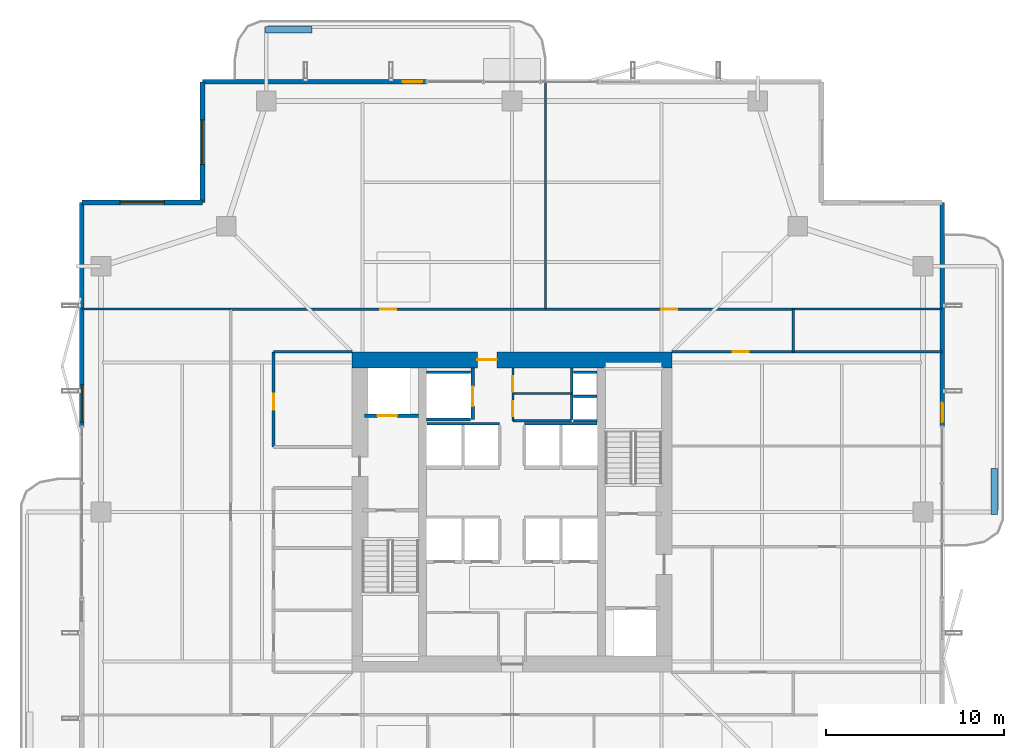
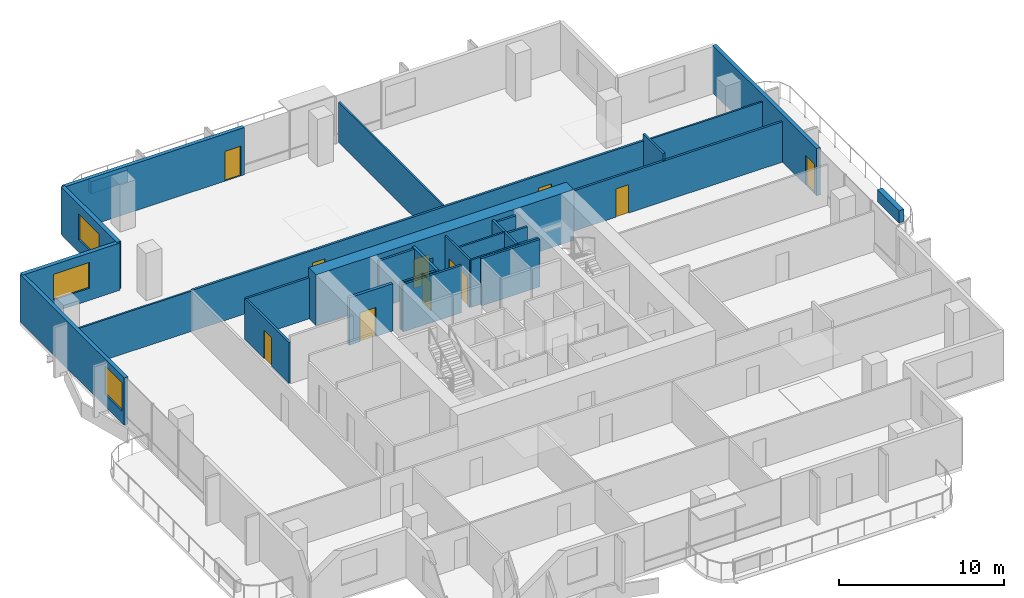
# One storey, part 20 of 25: 29 walls, 11 doors, 3 windows, 14 openings.
"""IFC4 building model written with IfcOpenShell, lengths in metres."""

from ifc_helpers import new_model, si_unit, direction, frame, frame_2d, origin, place, context, subcontext, project, spatial, rectangle, extrude, material, layer, layer_set, type_object, element, fill, save


model = new_model("IFC4")

# Units and contexts
model_context = context("Model", 3, precision=1e-05, world=origin(), true_north=direction((0.0, 1.0)))
body_context = subcontext(model_context, "Body", "Model", "MODEL_VIEW")
ifc_project = project(units=[si_unit("LENGTHUNIT", "METRE"), si_unit("AREAUNIT", "SQUARE_METRE"), si_unit("VOLUMEUNIT", "CUBIC_METRE"), si_unit("PLANEANGLEUNIT", "RADIAN"), si_unit("MASSUNIT", "GRAM", prefix="KILO")], contexts=[model_context])

# Site, building, storey
site_placement = place(None, origin())
site = spatial("IfcSite", under=ifc_project, at=site_placement, CompositionType="ELEMENT")
building_placement = place(site_placement, origin())
building = spatial("IfcBuilding", under=site, at=building_placement, Name="Belovzor Exchange Tower", CompositionType="ELEMENT")
storey_placement = place(building_placement, frame((0.0, 0.0, 187.050048828125)))
storey = spatial("IfcBuildingStorey", under=building, at=storey_placement, Name="L46", CompositionType="ELEMENT", Elevation=187.050048828125)

# Walls
ifc_material_1 = material(Name="Acoustic Plasterboard on Galvanised Studs", Category="gypsum")
ifc_layer_1 = layer(ifc_material_1, 0.1201171875)
ifc_layer_set_1 = layer_set([ifc_layer_1], Name="Acoustic Plasterboard on Galvanised Studs")
wall_type_1 = type_object("IfcWallType", Name="Acoustic Double-Stud Partition Wall 120", PredefinedType="PARTITIONING", material=ifc_layer_set_1)
wall_1_placement = place(storey_placement, frame((30.68994140625, 40.199951171875, 0.0), z_axis=(0.0, 0.0, 1.0), x_axis=(0.0, 1.0, 0.0)))
element("IfcWall", 1, at=wall_1_placement, inside=storey, type_object=wall_type_1, Name="W-P120 Partition Wall W-L46-NDIV-1", PredefinedType="PARTITIONING", context=body_context, shape_type="SweptSolid", body=[
    extrude(rectangle(XDim=12.77001953125, YDim=0.1201171875, at=frame_2d((6.385009765625, 0.0))), origin(), (0.0, 0.0, 1.0), 2.97998046875),
])
wall_2_placement = place(storey_placement, frame((4.6298828125, 40.199951171875, 0.0), z_axis=(0.0, 0.0, 1.0), x_axis=(1.0, 0.0, 0.0)))
element("IfcWall", 2, at=wall_2_placement, inside=storey, type_object=wall_type_1, Name="W-P120 Partition Wall W-L46-END-NW", PredefinedType="PARTITIONING", context=body_context, shape_type="SweptSolid", body=[
    extrude(rectangle(XDim=8.3701171875, YDim=0.1201171875, at=frame_2d((4.18505859375, 0.0))), origin(), (0.0, 0.0, 1.0), 2.97998046875),
])
wall_3_placement = place(storey_placement, frame((44.60009765625, 40.199951171875, 0.0), z_axis=(0.0, 0.0, 1.0), x_axis=(1.0, 0.0, 0.0)))
element("IfcWall", 3, at=wall_3_placement, inside=storey, type_object=wall_type_1, Name="W-P120 Partition Wall W-L46-END-NE", PredefinedType="PARTITIONING", context=body_context, shape_type="SweptSolid", body=[
    extrude(rectangle(XDim=8.369873046875, YDim=0.1201171875, at=frame_2d((4.18505859375, 0.0))), origin(), (0.0, 0.0, 1.0), 2.97998046875),
])

# Wall, openings, doors
ifc_material_2 = material(Name="Fire-Rated Plasterboard on Galvanised Studs", Category="gypsum")
ifc_layer_2 = layer(ifc_material_2, 0.1201171875)
ifc_layer_set_2 = layer_set([ifc_layer_2], Name="Fire-Rated Plasterboard on Galvanised Studs")
wall_type_2 = type_object("IfcWallType", Name="Fire-Rated Double-Stud Partition Wall 120", PredefinedType="PARTITIONING", material=ifc_layer_set_2)
wall_4_placement = place(storey_placement, frame((28.85009765625, 33.925048828125, 0.0), z_axis=(0.0, 0.0, 1.0), x_axis=(0.0, 1.0, 0.0)))
wall_4 = element("IfcWall", 4, at=wall_4_placement, inside=storey, type_object=wall_type_2, Name="W-P120F Partition Wall W-CRV-L46-W", PredefinedType="PARTITIONING", context=body_context, shape_type="SweptSolid", body=[
    extrude(rectangle(XDim=2.974853515625, YDim=0.1201171875, at=frame_2d((1.4873046875, 0.0))), origin(), (0.0, 0.0, 1.0), 3.494873046875),
])
opening_1_placement = place(wall_4_placement, frame((0.25, 0.0, 0.0)))
opening_1 = element("IfcOpeningElement", 5, at=opening_1_placement, cuts=wall_4, Name="Opening D-FD60-085", PredefinedType="OPENING", context=body_context, shape_type="SweptSolid", body=[
    extrude(rectangle(XDim=0.85009765625, YDim=2.10009765625, at=frame_2d((0.425048828125, 1.050048828125))), frame((0.0, 0.070068359375, 0.0), z_axis=(0.0, -1.0, 0.0), x_axis=(1.0, 0.0, 0.0)), (0.0, 0.0, 1.0), 0.14013671875),
])
opening_2_placement = place(wall_4_placement, frame((1.64501953125, 0.0, 0.0)))
opening_2 = element("IfcOpeningElement", 6, at=opening_2_placement, cuts=wall_4, Name="Opening D-FD60-085", PredefinedType="OPENING", context=body_context, shape_type="SweptSolid", body=[
    extrude(rectangle(XDim=0.85009765625, YDim=2.10009765625, at=frame_2d((0.425048828125, 1.050048828125))), frame((0.0, 0.070068359375, 0.0), z_axis=(0.0, -1.0, 0.0), x_axis=(1.0, 0.0, 0.0)), (0.0, 0.0, 1.0), 0.14013671875),
])
ifc_material_3 = material(Name="Fire-Rated Steel Access Leaf", Category="steel")
door_type_1 = type_object("IfcDoorType", Name="Riser & Meter Closet Access Fire Door 850x2100", OperationType="NOTDEFINED", PredefinedType="DOOR", material=ifc_material_3)
door_1_placement = place(opening_1_placement, origin())
door_1 = element("IfcDoor", 7, at=door_1_placement, inside=storey, type_object=door_type_1, Name="D-FD60-085 Riser & Meter Closet Access Fire Door 850x2100", OperationType="SINGLE_SWING_LEFT", OverallHeight=2.10009765625, OverallWidth=0.85009765625, PredefinedType="DOOR", context=body_context, shape_type="SweptSolid", body=[
    extrude(rectangle(XDim=0.85009765625, YDim=2.10009765625, at=frame_2d((0.425048828125, 1.050048828125))), frame((0.0, 0.02490234375, 0.0), z_axis=(0.0, -1.0, 0.0), x_axis=(1.0, 0.0, 0.0)), (0.0, 0.0, 1.0), 0.050048828125),
])
fill(opening_1, door_1)
door_2_placement = place(opening_2_placement, origin())
door_2 = element("IfcDoor", 8, at=door_2_placement, inside=storey, type_object=door_type_1, Name="D-FD60-085 Riser & Meter Closet Access Fire Door 850x2100", OperationType="SINGLE_SWING_RIGHT", OverallHeight=2.10009765625, OverallWidth=0.85009765625, PredefinedType="DOOR", context=body_context, shape_type="SweptSolid", body=[
    extrude(rectangle(XDim=0.85009765625, YDim=2.10009765625, at=frame_2d((0.425048828125, 1.050048828125))), frame((0.0, 0.02490234375, 0.0), z_axis=(0.0, -1.0, 0.0), x_axis=(1.0, 0.0, 0.0)), (0.0, 0.0, 1.0), 0.050048828125),
])
fill(opening_2, door_2)

# Walls
for number, where, z_axis, x_axis, name in (
    (9, (28.85009765625, 35.449951171875, 0.0), (0.0, 0.0, 1.0), (1.0, 0.0, 0.0), "W-P120F Partition Wall W-CRV-L46-M"),
    (10, (28.85009765625, 33.925048828125, 0.0), (0.0, 0.0, 1.0), (1.0, 0.0, 0.0), "W-P120F Partition Wall W-CRV-L46-S"),
):
    element("IfcWall", number, at=place(storey_placement, frame(where, z_axis=z_axis, x_axis=x_axis)), inside=storey, type_object=wall_type_2, Name=name, PredefinedType="PARTITIONING", context=body_context, shape_type="SweptSolid", body=[
        extrude(rectangle(XDim=3.2998046875, YDim=0.1201171875, at=frame_2d((1.64990234375, 0.0))), origin(), (0.0, 0.0, 1.0), 3.494873046875),
    ])
ifc_material_4 = material(Name="Fire-Rated Gypsum Block and Mineral Wool", Category="gypsum")
ifc_layer_3 = layer(ifc_material_4, 0.14990234375)
ifc_layer_set_3 = layer_set([ifc_layer_3], Name="Fire-Rated Gypsum Block and Mineral Wool")
wall_type_3 = type_object("IfcWallType", Name="Fire-Rated Gypsum Block Corridor Wall 150", PredefinedType="PARTITIONING", material=ifc_layer_set_3)
wall_5_placement = place(storey_placement, frame((15.39990234375, 37.800048828125, 0.0), z_axis=(0.0, 0.0, 1.0), x_axis=(1.0, 0.0, 0.0)))
element("IfcWall", 11, at=wall_5_placement, inside=storey, type_object=wall_type_3, Name="W-P150 Partition Wall W-L46-INW-N", PredefinedType="PARTITIONING", context=body_context, shape_type="SweptSolid", body=[
    extrude(rectangle(XDim=4.400146484375, YDim=0.14990234375, at=frame_2d((2.2001953125, 0.0))), origin(), (0.0, 0.0, 1.0), 3.030029296875),
])

# Wall, opening, door
wall_6_placement = place(storey_placement, frame((15.39990234375, 32.449951171875, 0.0), z_axis=(0.0, 0.0, 1.0), x_axis=(0.0, 1.0, 0.0)))
wall_6 = element("IfcWall", 12, at=wall_6_placement, inside=storey, type_object=wall_type_3, Name="W-P150 Partition Wall W-L46-WIE-N", PredefinedType="PARTITIONING", context=body_context, shape_type="SweptSolid", body=[
    extrude(rectangle(XDim=5.35009765625, YDim=0.14990234375, at=frame_2d((2.675048828125, 0.0))), origin(), (0.0, 0.0, 1.0), 3.030029296875),
])
opening_3_placement = place(wall_6_placement, frame((2.10009765625, 0.0, 0.0)))
opening_3 = element("IfcOpeningElement", 13, at=opening_3_placement, cuts=wall_6, Name="Opening D-FD60-090", PredefinedType="OPENING", context=body_context, shape_type="SweptSolid", body=[
    extrude(rectangle(XDim=0.89990234375, YDim=2.10009765625, at=frame_2d((0.449951171875, 1.050048828125))), frame((0.0, 0.0849609375, 0.0), z_axis=(0.0, -1.0, 0.0), x_axis=(1.0, 0.0, 0.0)), (0.0, 0.0, 1.0), 0.169921875),
])
ifc_material_5 = material(Name="Acoustic Timber Fire Leaf", Category="wood")
door_type_2 = type_object("IfcDoorType", Name="Core Service & Restroom Fire Door 900x2100", OperationType="NOTDEFINED", PredefinedType="DOOR", material=ifc_material_5)
door_3_placement = place(opening_3_placement, origin())
door_3 = element("IfcDoor", 14, at=door_3_placement, inside=storey, type_object=door_type_2, Name="D-FD60-090 Core Service & Restroom Fire Door 900x2100", OperationType="SINGLE_SWING_LEFT", OverallHeight=2.10009765625, OverallWidth=0.89990234375, PredefinedType="DOOR", context=body_context, shape_type="SweptSolid", body=[
    extrude(rectangle(XDim=0.89990234375, YDim=2.10009765625, at=frame_2d((0.449951171875, 1.050048828125))), frame((0.0, 0.02490234375, 0.0), z_axis=(0.0, -1.0, 0.0), x_axis=(1.0, 0.0, 0.0)), (0.0, 0.0, 1.0), 0.050048828125),
])
fill(opening_3, door_3)

# Wall
wall_7_placement = place(storey_placement, frame((44.60009765625, 37.800048828125, 0.0), z_axis=(0.0, 0.0, 1.0), x_axis=(0.0, 1.0, 0.0)))
element("IfcWall", 15, at=wall_7_placement, inside=storey, type_object=wall_type_3, Name="W-P150 Partition Wall W-L46-END-EN", PredefinedType="PARTITIONING", context=body_context, shape_type="SweptSolid", body=[
    extrude(rectangle(XDim=2.39990234375, YDim=0.14990234375, at=frame_2d((1.199951171875, 0.0))), origin(), (0.0, 0.0, 1.0), 3.494873046875),
])

# Wall, opening, door
wall_8_placement = place(storey_placement, frame((37.800048828125, 37.800048828125, 0.0), z_axis=(0.0, 0.0, 1.0), x_axis=(1.0, 0.0, 0.0)))
wall_8 = element("IfcWall", 16, at=wall_8_placement, inside=storey, type_object=wall_type_3, Name="W-P150 Partition Wall W-L46-CN-IN", PredefinedType="PARTITIONING", context=body_context, shape_type="SweptSolid", body=[
    extrude(rectangle(XDim=15.169921875, YDim=0.14990234375, at=frame_2d((7.5849609375, 0.0))), origin(), (0.0, 0.0, 1.0), 2.97998046875),
])
opening_4_placement = place(wall_8_placement, frame((3.39990234375, 0.0, 0.0)))
opening_4 = element("IfcOpeningElement", 17, at=opening_4_placement, cuts=wall_8, Name="Opening D-INT-090", PredefinedType="OPENING", context=body_context, shape_type="SweptSolid", body=[
    extrude(rectangle(XDim=0.89990234375, YDim=2.10009765625, at=frame_2d((0.449951171875, 1.050048828125))), frame((0.0, 0.0849609375, 0.0), z_axis=(0.0, -1.0, 0.0), x_axis=(1.0, 0.0, 0.0)), (0.0, 0.0, 1.0), 0.169921875),
])
ifc_material_6 = material(Name="Veneered Hardwood Acoustic Leaf", Category="wood")
door_type_3 = type_object("IfcDoorType", Name="Trading Suite Acoustic Single Door 900x2100", OperationType="NOTDEFINED", PredefinedType="DOOR", material=ifc_material_6)
door_4_placement = place(opening_4_placement, origin())
door_4 = element("IfcDoor", 18, at=door_4_placement, inside=storey, type_object=door_type_3, Name="D-INT-090 Trading Suite Acoustic Single Door 900x2100", OperationType="SINGLE_SWING_RIGHT", OverallHeight=2.10009765625, OverallWidth=0.89990234375, PredefinedType="DOOR", context=body_context, shape_type="SweptSolid", body=[
    extrude(rectangle(XDim=0.89990234375, YDim=2.10009765625, at=frame_2d((0.449951171875, 1.050048828125))), frame((0.0, 0.02490234375, 0.0), z_axis=(0.0, -1.0, 0.0), x_axis=(1.0, 0.0, 0.0)), (0.0, 0.0, 1.0), 0.050048828125),
])
fill(opening_4, door_4)

# Wall, openings, doors
wall_9_placement = place(storey_placement, frame((13.0, 40.199951171875, 0.0), z_axis=(0.0, 0.0, 1.0), x_axis=(1.0, 0.0, 0.0)))
wall_9 = element("IfcWall", 19, at=wall_9_placement, inside=storey, type_object=wall_type_3, Name="W-P150 Partition Wall W-L46-CN", PredefinedType="PARTITIONING", context=body_context, shape_type="SweptSolid", body=[
    extrude(rectangle(XDim=31.60009765625, YDim=0.14990234375, at=frame_2d((15.800048828125, 0.0))), origin(), (0.0, 0.0, 1.0), 3.030029296875),
])
opening_5_placement = place(wall_9_placement, frame((8.39501953125, 0.0, 0.0)))
opening_5 = element("IfcOpeningElement", 20, at=opening_5_placement, cuts=wall_9, Name="Opening D-INT-090", PredefinedType="OPENING", context=body_context, shape_type="SweptSolid", body=[
    extrude(rectangle(XDim=0.89990234375, YDim=2.10009765625, at=frame_2d((0.449951171875, 1.050048828125))), frame((0.0, 0.0849609375, 0.0), z_axis=(0.0, -1.0, 0.0), x_axis=(1.0, 0.0, 0.0)), (0.0, 0.0, 1.0), 0.169921875),
])
opening_6_placement = place(wall_9_placement, frame((24.195068359375, 0.0, 0.0)))
opening_6 = element("IfcOpeningElement", 21, at=opening_6_placement, cuts=wall_9, Name="Opening D-INT-090", PredefinedType="OPENING", context=body_context, shape_type="SweptSolid", body=[
    extrude(rectangle(XDim=0.89990234375, YDim=2.10009765625, at=frame_2d((0.449951171875, 1.050048828125))), frame((0.0, 0.0849609375, 0.0), z_axis=(0.0, -1.0, 0.0), x_axis=(1.0, 0.0, 0.0)), (0.0, 0.0, 1.0), 0.169921875),
])
door_5_placement = place(opening_5_placement, origin())
door_5 = element("IfcDoor", 22, at=door_5_placement, inside=storey, type_object=door_type_3, Name="D-INT-090 Trading Suite Acoustic Single Door 900x2100", OperationType="SINGLE_SWING_LEFT", OverallHeight=2.10009765625, OverallWidth=0.89990234375, PredefinedType="DOOR", context=body_context, shape_type="SweptSolid", body=[
    extrude(rectangle(XDim=0.89990234375, YDim=2.10009765625, at=frame_2d((0.449951171875, 1.050048828125))), frame((0.0, 0.02490234375, 0.0), z_axis=(0.0, -1.0, 0.0), x_axis=(1.0, 0.0, 0.0)), (0.0, 0.0, 1.0), 0.050048828125),
])
fill(opening_5, door_5)
door_6_placement = place(opening_6_placement, origin())
door_6 = element("IfcDoor", 23, at=door_6_placement, inside=storey, type_object=door_type_3, Name="D-INT-090 Trading Suite Acoustic Single Door 900x2100", OperationType="SINGLE_SWING_RIGHT", OverallHeight=2.10009765625, OverallWidth=0.89990234375, PredefinedType="DOOR", context=body_context, shape_type="SweptSolid", body=[
    extrude(rectangle(XDim=0.89990234375, YDim=2.10009765625, at=frame_2d((0.449951171875, 1.050048828125))), frame((0.0, 0.02490234375, 0.0), z_axis=(0.0, -1.0, 0.0), x_axis=(1.0, 0.0, 0.0)), (0.0, 0.0, 1.0), 0.050048828125),
])
fill(opening_6, door_6)

# Wall, opening, window
ifc_material_7 = material(Name="Precast concrete C40/50", Category="concrete")
ifc_layer_4 = layer(ifc_material_7, 0.280029296875)
ifc_layer_set_4 = layer_set([ifc_layer_4], Name="Precast concrete C40/50")
wall_type_4 = type_object("IfcWallType", Name="Precast Concrete Notched Corner Frame Wall 280", PredefinedType="SOLIDWALL", material=ifc_layer_set_4)
wall_10_placement = place(storey_placement, frame((4.6298828125, 46.199951171875, 0.0), z_axis=(0.0, 0.0, 1.0), x_axis=(1.0, 0.0, 0.0)))
wall_10 = element("IfcWall", 24, at=wall_10_placement, inside=storey, type_object=wall_type_4, Name="W-CRN280 Precast Concrete Notched Corner Frame Wall 280 L46", PredefinedType="SOLIDWALL", context=body_context, shape_type="SweptSolid", body=[
    extrude(rectangle(XDim=6.77001953125, YDim=0.280029296875, at=frame_2d((3.385009765625, 0.0))), origin(), (0.0, 0.0, 1.0), 3.494873046875),
])
opening_7_placement = place(wall_10_placement, frame((2.135009765625, 0.0, 0.89990234375)))
opening_7 = element("IfcOpeningElement", 25, at=opening_7_placement, cuts=wall_10, Name="Opening WN-CRN250", PredefinedType="OPENING", context=body_context, shape_type="SweptSolid", body=[
    extrude(rectangle(XDim=2.5, YDim=1.89990234375, at=frame_2d((1.25, 0.949951171875))), frame((0.0, 0.14990234375, 0.0), z_axis=(0.0, -1.0, 0.0), x_axis=(1.0, 0.0, 0.0)), (0.0, 0.0, 1.0), 0.300048828125),
])
ifc_material_8 = material(Name="Thermally Broken Aluminium and Triple Glazing", Category="aluminium")
window_type_1 = type_object("IfcWindowType", Name="Streamline Moderne Corner Wrap Ribbon Window 2500x1900", PartitioningType="SINGLE_PANEL", PredefinedType="WINDOW", material=ifc_material_8)
window_1_placement = place(opening_7_placement, origin())
window_1 = element("IfcWindow", 26, at=window_1_placement, inside=storey, type_object=window_type_1, Name="WN-CRN250 Streamline Moderne Corner Wrap Ribbon Window 2500x1900", OverallHeight=1.89990234375, OverallWidth=2.5, PartitioningType="SINGLE_PANEL", PredefinedType="WINDOW", context=body_context, shape_type="SweptSolid", body=[
    extrude(rectangle(XDim=2.5, YDim=1.89990234375, at=frame_2d((1.25, 0.949951171875))), frame((0.0, 0.030029296875, 0.0), z_axis=(0.0, -1.0, 0.0), x_axis=(1.0, 0.0, 0.0)), (0.0, 0.0, 1.0), 0.06005859375),
])
fill(opening_7, window_1)

wall_11_placement = place(storey_placement, frame((11.39990234375, 46.199951171875, 0.0), z_axis=(0.0, 0.0, 1.0), x_axis=(0.0, 1.0, 0.0)))
wall_11 = element("IfcWall", 27, at=wall_11_placement, inside=storey, type_object=wall_type_4, Name="W-CRN280 Precast Concrete Notched Corner Frame Wall 280 L46", PredefinedType="SOLIDWALL", context=body_context, shape_type="SweptSolid", body=[
    extrude(rectangle(XDim=6.77001953125, YDim=0.280029296875, at=frame_2d((3.385009765625, 0.0))), origin(), (0.0, 0.0, 1.0), 3.494873046875),
])
opening_8_placement = place(wall_11_placement, frame((2.135009765625, 0.0, 0.89990234375)))
opening_8 = element("IfcOpeningElement", 28, at=opening_8_placement, cuts=wall_11, Name="Opening WN-CRN250", PredefinedType="OPENING", context=body_context, shape_type="SweptSolid", body=[
    extrude(rectangle(XDim=2.5, YDim=1.89990234375, at=frame_2d((1.25, 0.949951171875))), frame((0.0, 0.14990234375, 0.0), z_axis=(0.0, -1.0, 0.0), x_axis=(1.0, 0.0, 0.0)), (0.0, 0.0, 1.0), 0.300048828125),
])
window_2_placement = place(opening_8_placement, origin())
window_2 = element("IfcWindow", 29, at=window_2_placement, inside=storey, type_object=window_type_1, Name="WN-CRN250 Streamline Moderne Corner Wrap Ribbon Window 2500x1900", OverallHeight=1.89990234375, OverallWidth=2.5, PartitioningType="SINGLE_PANEL", PredefinedType="WINDOW", context=body_context, shape_type="SweptSolid", body=[
    extrude(rectangle(XDim=2.5, YDim=1.89990234375, at=frame_2d((1.25, 0.949951171875))), frame((0.0, 0.030029296875, 0.0), z_axis=(0.0, -1.0, 0.0), x_axis=(1.0, 0.0, 0.0)), (0.0, 0.0, 1.0), 0.06005859375),
])
fill(opening_8, window_2)

# Wall, opening, door
ifc_material_9 = material(Name="Precast concrete C40/50", Category="concrete")
ifc_layer_5 = layer(ifc_material_9, 0.260009765625)
ifc_layer_set_5 = layer_set([ifc_layer_5], Name="Precast concrete C40/50")
wall_type_5 = type_object("IfcWallType", Name="Precast Concrete Perimeter Loggia Frame Wall 260", PredefinedType="SOLIDWALL", material=ifc_layer_set_5)
wall_12_placement = place(storey_placement, frame((11.39990234375, 52.969970703125, 0.0), z_axis=(0.0, 0.0, 1.0), x_axis=(1.0, 0.0, 0.0)))
wall_12 = element("IfcWall", 30, at=wall_12_placement, inside=storey, type_object=wall_type_5, Name="W-EXT260 Precast Concrete Perimeter Loggia Frame Wall 260 L46", PredefinedType="SOLIDWALL", context=body_context, shape_type="SweptSolid", body=[
    extrude(rectangle(XDim=12.60009765625, YDim=0.260009765625, at=frame_2d((6.300048828125, 0.0))), origin(), (0.0, 0.0, 1.0), 3.494873046875),
])
opening_9_placement = place(wall_12_placement, frame((11.25, 0.0, 0.0)))
opening_9 = element("IfcOpeningElement", 31, at=opening_9_placement, cuts=wall_12, Name="Opening D-BAL110", PredefinedType="OPENING", context=body_context, shape_type="SweptSolid", body=[
    extrude(rectangle(XDim=1.10009765625, YDim=2.199951171875, at=frame_2d((0.550048828125, 1.10009765625))), frame((0.0, 0.139892578125, 0.0), z_axis=(0.0, -1.0, 0.0), x_axis=(1.0, 0.0, 0.0)), (0.0, 0.0, 1.0), 0.280029296875),
])
ifc_material_10 = material(Name="Thermally Broken Anodised Aluminium and Laminated Glass", Category="aluminium")
door_type_4 = type_object("IfcDoorType", Name="Planted Loggia Terrace Glazed Door 1100x2200", OperationType="SINGLE_SWING_LEFT", PredefinedType="DOOR", material=ifc_material_10)
door_7_placement = place(opening_9_placement, origin())
door_7 = element("IfcDoor", 32, at=door_7_placement, inside=storey, type_object=door_type_4, Name="D-BAL110 Balcony Terrace Door L46 N", OperationType="SINGLE_SWING_RIGHT", OverallHeight=2.199951171875, OverallWidth=1.10009765625, PredefinedType="DOOR", context=body_context, shape_type="SweptSolid", body=[
    extrude(rectangle(XDim=1.10009765625, YDim=2.199951171875, at=frame_2d((0.550048828125, 1.10009765625))), frame((0.0, 0.02490234375, 0.0), z_axis=(0.0, -1.0, 0.0), x_axis=(1.0, 0.0, 0.0)), (0.0, 0.0, 1.0), 0.050048828125),
])
fill(opening_9, door_7)

# Wall, opening, window
wall_13_placement = place(storey_placement, frame((4.6298828125, 33.60009765625, 0.0), z_axis=(0.0, 0.0, 1.0), x_axis=(0.0, 1.0, 0.0)))
wall_13 = element("IfcWall", 33, at=wall_13_placement, inside=storey, type_object=wall_type_5, Name="W-EXT260 Precast Concrete Perimeter Loggia Frame Wall 260 L46", PredefinedType="SOLIDWALL", context=body_context, shape_type="SweptSolid", body=[
    extrude(rectangle(XDim=12.599853515625, YDim=0.260009765625, at=frame_2d((6.2998046875, 0.0))), origin(), (0.0, 0.0, 1.0), 3.494873046875),
])
opening_10_placement = place(wall_13_placement, frame((0.25, 0.0, 0.89990234375)))
opening_10 = element("IfcOpeningElement", 34, at=opening_10_placement, cuts=wall_13, Name="Opening WN-LOG210", PredefinedType="OPENING", context=body_context, shape_type="SweptSolid", body=[
    extrude(rectangle(XDim=2.10009765625, YDim=2.10009765625, at=frame_2d((1.050048828125, 1.050048828125))), frame((0.0, 0.139892578125, 0.0), z_axis=(0.0, -1.0, 0.0), x_axis=(1.0, 0.0, 0.0)), (0.0, 0.0, 1.0), 0.280029296875),
])
ifc_material_11 = material(Name="Thermally Broken Aluminium and Triple Glazing", Category="aluminium")
window_type_2 = type_object("IfcWindowType", Name="Triple-Glazed Loggia Ribbon Window 2100x2100", PartitioningType="SINGLE_PANEL", PredefinedType="WINDOW", material=ifc_material_11)
window_3_placement = place(opening_10_placement, origin())
window_3 = element("IfcWindow", 35, at=window_3_placement, inside=storey, type_object=window_type_2, Name="WN-LOG210 Triple-Glazed Loggia Ribbon Window 2100x2100", OverallHeight=2.10009765625, OverallWidth=2.10009765625, PartitioningType="SINGLE_PANEL", PredefinedType="WINDOW", context=body_context, shape_type="SweptSolid", body=[
    extrude(rectangle(XDim=2.10009765625, YDim=2.10009765625, at=frame_2d((1.050048828125, 1.050048828125))), frame((0.0, 0.030029296875, 0.0), z_axis=(0.0, -1.0, 0.0), x_axis=(1.0, 0.0, 0.0)), (0.0, 0.0, 1.0), 0.06005859375),
])
fill(opening_10, window_3)

# Wall, opening, door
wall_14_placement = place(storey_placement, frame((52.969970703125, 46.199951171875, 0.0), z_axis=(0.0, 0.0, 1.0), x_axis=(0.0, -1.0, 0.0)))
wall_14 = element("IfcWall", 36, at=wall_14_placement, inside=storey, type_object=wall_type_5, Name="W-EXT260 Precast Concrete Perimeter Loggia Frame Wall 260 L46", PredefinedType="SOLIDWALL", context=body_context, shape_type="SweptSolid", body=[
    extrude(rectangle(XDim=12.599853515625, YDim=0.260009765625, at=frame_2d((6.2998046875, 0.0))), origin(), (0.0, 0.0, 1.0), 3.494873046875),
])
opening_11_placement = place(wall_14_placement, frame((11.25, 0.0, 0.0)))
opening_11 = element("IfcOpeningElement", 37, at=opening_11_placement, cuts=wall_14, Name="Opening D-BAL110", PredefinedType="OPENING", context=body_context, shape_type="SweptSolid", body=[
    extrude(rectangle(XDim=1.10009765625, YDim=2.199951171875, at=frame_2d((0.550048828125, 1.10009765625))), frame((0.0, 0.139892578125, 0.0), z_axis=(0.0, -1.0, 0.0), x_axis=(1.0, 0.0, 0.0)), (0.0, 0.0, 1.0), 0.280029296875),
])
door_8_placement = place(opening_11_placement, origin())
door_8 = element("IfcDoor", 38, at=door_8_placement, inside=storey, type_object=door_type_4, Name="D-BAL110 Balcony Terrace Door L46 E", OperationType="SINGLE_SWING_LEFT", OverallHeight=2.199951171875, OverallWidth=1.10009765625, PredefinedType="DOOR", context=body_context, shape_type="SweptSolid", body=[
    extrude(rectangle(XDim=1.10009765625, YDim=2.199951171875, at=frame_2d((0.550048828125, 1.10009765625))), frame((0.0, 0.02490234375, 0.0), z_axis=(0.0, -1.0, 0.0), x_axis=(1.0, 0.0, 0.0)), (0.0, 0.0, 1.0), 0.050048828125),
])
fill(opening_11, door_8)

# Walls
ifc_material_12 = material(Name="Precast concrete C40/50", Category="concrete")
ifc_layer_6 = layer(ifc_material_12, 0.35009765625)
ifc_layer_set_6 = layer_set([ifc_layer_6], Name="Precast concrete C40/50")
wall_type_6 = type_object("IfcWallType", Name="Precast Concrete Structural Tree Planter Trough 350", PredefinedType="PARAPET", material=ifc_layer_set_6)
for number, where, z_axis, x_axis, name in (
    (39, (14.949951171875, 55.89990234375, 0.0), (0.0, 0.0, 1.0), (1.0, 0.0, 0.0), "PT-350 Precast Concrete Structural Tree Planter Trough 350 L46"),
    (40, (55.89990234375, 28.64990234375, 0.0), (0.0, 0.0, 1.0), (0.0, 1.0, 0.0), "PT-350 Precast Concrete Structural Tree Planter Trough 350 L46"),
):
    element("IfcWall", number, at=place(storey_placement, frame(where, z_axis=z_axis, x_axis=x_axis)), inside=storey, type_object=wall_type_6, Name=name, PredefinedType="PARAPET", context=body_context, shape_type="SweptSolid", body=[
        extrude(rectangle(XDim=2.60009765625, YDim=0.35009765625, at=frame_2d((1.300048828125, 0.0))), origin(), (0.0, 0.0, 1.0), 0.89990234375),
    ])
ifc_material_13 = material(Name="Concrete C50/60", Category="concrete")
ifc_layer_7 = layer(ifc_material_13, 0.14990234375)
ifc_layer_set_7 = layer_set([ifc_layer_7], Name="Concrete C50/60")
wall_type_7 = type_object("IfcWallType", Name="Reinforced Concrete Core Riser Shear Wall 150", PredefinedType="SHEAR", material=ifc_layer_set_7)
wall_15_placement = place(storey_placement, frame((32.14990234375, 34.0, 0.0), z_axis=(0.0, 0.0, 1.0), x_axis=(0.0, 1.0, 0.0)))
element("IfcWall", 41, at=wall_15_placement, inside=storey, type_object=wall_type_7, Name="W-C150S Core Shaft Wall W-RSR-L46-E", PredefinedType="SHEAR", context=body_context, shape_type="SweptSolid", body=[
    extrude(rectangle(XDim=2.89990234375, YDim=0.14990234375, at=frame_2d((1.449951171875, 0.0))), origin(), (0.0, 0.0, 1.0), 3.494873046875),
])
for number, where, z_axis, x_axis, name in (
    (42, (32.25, 33.925048828125, 0.0), (0.0, 0.0, 1.0), (1.0, 0.0, 0.0), "W-C150S Core Shaft Wall W-RSR-L46-S"),
    (43, (32.25, 35.300048828125, 0.0), (0.0, 0.0, 1.0), (1.0, 0.0, 0.0), "W-C150S Core Shaft Wall W-RSR-L46-M"),
):
    element("IfcWall", number, at=place(storey_placement, frame(where, z_axis=z_axis, x_axis=x_axis)), inside=storey, type_object=wall_type_7, Name=name, PredefinedType="SHEAR", context=body_context, shape_type="SweptSolid", body=[
        extrude(rectangle(XDim=1.330078125, YDim=0.14990234375, at=frame_2d((0.6650390625, 0.0))), origin(), (0.0, 0.0, 1.0), 3.494873046875),
    ])
for number, where, z_axis, x_axis, name in (
    (44, (24.0, 34.0, 0.0), (0.0, 0.0, 1.0), (1.0, 0.0, 0.0), "W-C150S Core Shaft Wall W-SH-L46-SL-01S"),
    (45, (24.0, 36.64990234375, 0.0), (0.0, 0.0, 1.0), (1.0, 0.0, 0.0), "W-C150S Core Shaft Wall W-SH-L46-SL-01N"),
):
    element("IfcWall", number, at=place(storey_placement, frame(where, z_axis=z_axis, x_axis=x_axis)), inside=storey, type_object=wall_type_7, Name=name, PredefinedType="SHEAR", context=body_context, shape_type="SweptSolid", body=[
        extrude(rectangle(XDim=2.47998046875, YDim=0.14990234375, at=frame_2d((1.239990234375, 0.0))), origin(), (0.0, 0.0, 1.0), 3.494873046875),
    ])
wall_16_placement = place(storey_placement, frame((32.25, 36.64990234375, 0.0), z_axis=(0.0, 0.0, 1.0), x_axis=(1.0, 0.0, 0.0)))
element("IfcWall", 46, at=wall_16_placement, inside=storey, type_object=wall_type_7, Name="W-C150S Core Shaft Wall W-RSR-L46-N", PredefinedType="SHEAR", context=body_context, shape_type="SweptSolid", body=[
    extrude(rectangle(XDim=1.330078125, YDim=0.14990234375, at=frame_2d((0.6650390625, 0.0))), origin(), (0.0, 0.0, 1.0), 3.494873046875),
])
for number, where, z_axis, x_axis, name in (
    (47, (24.02001953125, 33.760009765625, 0.0), (0.0, 0.0, 1.0), (1.0, 0.0, 0.0), "W-C150S Core Shaft Wall W-SHB-L46-PLH-NW"),
    (48, (29.5, 33.760009765625, 0.0), (0.0, 0.0, 1.0), (1.0, 0.0, 0.0), "W-C150S Core Shaft Wall W-SHB-L46-PLH-NE"),
):
    element("IfcWall", number, at=place(storey_placement, frame(where, z_axis=z_axis, x_axis=x_axis)), inside=storey, type_object=wall_type_7, Name=name, PredefinedType="SHEAR", context=body_context, shape_type="SweptSolid", body=[
        extrude(rectangle(XDim=4.080078125, YDim=0.14990234375, at=frame_2d((2.0400390625, 0.0))), origin(), (0.0, 0.0, 1.0), 3.494873046875),
    ])

# Wall, opening, door
ifc_material_14 = material(Name="Concrete C50/60", Category="concrete")
ifc_layer_8 = layer(ifc_material_14, 0.199951171875)
ifc_layer_set_8 = layer_set([ifc_layer_8], Name="Concrete C50/60")
wall_type_8 = type_object("IfcWallType", Name="Reinforced Concrete Core Shaft Shear Wall 200", PredefinedType="SHEAR", material=ifc_layer_set_8)
wall_17_placement = place(storey_placement, frame((20.5, 34.199951171875, 0.0), z_axis=(0.0, 0.0, 1.0), x_axis=(1.0, 0.0, 0.0)))
wall_17 = element("IfcWall", 49, at=wall_17_placement, inside=storey, type_object=wall_type_8, Name="W-C200S Core Shaft Wall W-SH-L46-FFL-01", PredefinedType="SHEAR", context=body_context, shape_type="SweptSolid", body=[
    extrude(rectangle(XDim=3.050048828125, YDim=0.199951171875, at=frame_2d((1.52490234375, 0.0))), origin(), (0.0, 0.0, 1.0), 3.494873046875),
])
opening_12_placement = place(wall_17_placement, frame((0.75, 0.0, 0.0)))
opening_12 = element("IfcOpeningElement", 50, at=opening_12_placement, cuts=wall_17, Name="Opening LD-110", PredefinedType="OPENING", context=body_context, shape_type="SweptSolid", body=[
    extrude(rectangle(XDim=1.10009765625, YDim=2.14990234375, at=frame_2d((0.550048828125, 1.074951171875))), frame((0.0, 0.10986328125, 0.0), z_axis=(0.0, -1.0, 0.0), x_axis=(1.0, 0.0, 0.0)), (0.0, 0.0, 1.0), 0.219970703125),
])
ifc_material_15 = material(Name="Stainless Steel Grade 304", Category="steel")
door_type_5 = type_object("IfcDoorType", Name="Automated Stainless Steel Lift Landing Door 1100x2150", OperationType="SLIDING_TO_RIGHT", PredefinedType="DOOR", material=ifc_material_15)
door_9_placement = place(opening_12_placement, origin())
door_9 = element("IfcDoor", 51, at=door_9_placement, inside=storey, type_object=door_type_5, Name="LD-110 Automated Stainless Steel Lift Landing Door 1100x2150", OperationType="SLIDING_TO_RIGHT", OverallHeight=2.14990234375, OverallWidth=1.10009765625, PredefinedType="DOOR", context=body_context, shape_type="SweptSolid", body=[
    extrude(rectangle(XDim=1.10009765625, YDim=2.14990234375, at=frame_2d((0.550048828125, 1.074951171875))), frame((0.0, 0.02490234375, 0.0), z_axis=(0.0, -1.0, 0.0), x_axis=(1.0, 0.0, 0.0)), (0.0, 0.0, 1.0), 0.050048828125),
])
fill(opening_12, door_9)

wall_18_placement = place(storey_placement, frame((26.60009765625, 34.0, 0.0), z_axis=(0.0, 0.0, 1.0), x_axis=(0.0, 1.0, 0.0)))
wall_18 = element("IfcWall", 52, at=wall_18_placement, inside=storey, type_object=wall_type_8, Name="W-C200S Core Shaft Wall W-SH-L46-SL-01", PredefinedType="SHEAR", context=body_context, shape_type="SweptSolid", body=[
    extrude(rectangle(XDim=2.89990234375, YDim=0.199951171875, at=frame_2d((1.449951171875, 0.0))), origin(), (0.0, 0.0, 1.0), 3.494873046875),
])
opening_13_placement = place(wall_18_placement, frame((0.75, 0.0, 0.0)))
opening_13 = element("IfcOpeningElement", 53, at=opening_13_placement, cuts=wall_18, Name="Opening LD-110", PredefinedType="OPENING", context=body_context, shape_type="SweptSolid", body=[
    extrude(rectangle(XDim=1.10009765625, YDim=2.14990234375, at=frame_2d((0.550048828125, 1.074951171875))), frame((0.0, 0.10986328125, 0.0), z_axis=(0.0, -1.0, 0.0), x_axis=(1.0, 0.0, 0.0)), (0.0, 0.0, 1.0), 0.219970703125),
])
door_10_placement = place(opening_13_placement, origin())
door_10 = element("IfcDoor", 54, at=door_10_placement, inside=storey, type_object=door_type_5, Name="LD-110 Automated Stainless Steel Lift Landing Door 1100x2150", OperationType="SLIDING_TO_RIGHT", OverallHeight=2.14990234375, OverallWidth=1.10009765625, PredefinedType="DOOR", context=body_context, shape_type="SweptSolid", body=[
    extrude(rectangle(XDim=1.10009765625, YDim=2.14990234375, at=frame_2d((0.550048828125, 1.074951171875))), frame((0.0, 0.02490234375, 0.0), z_axis=(0.0, -1.0, 0.0), x_axis=(1.0, 0.0, 0.0)), (0.0, 0.0, 1.0), 0.050048828125),
])
fill(opening_13, door_10)

ifc_material_16 = material(Name="Concrete C60/75", Category="concrete")
ifc_layer_9 = layer(ifc_material_16, 0.89990234375)
ifc_layer_set_9 = layer_set([ifc_layer_9], Name="Concrete C60/75")
wall_type_9 = type_object("IfcWallType", Name="Reinforced Concrete Core Shear Wall 900", PredefinedType="SHEAR", material=ifc_layer_set_9)
wall_19_placement = place(storey_placement, frame((19.800048828125, 37.35009765625, 0.0), z_axis=(0.0, 0.0, 1.0), x_axis=(1.0, 0.0, 0.0)))
wall_19 = element("IfcWall", 55, at=wall_19_placement, inside=storey, type_object=wall_type_9, Name="CW-S090 Core Shear Wall L46 N", PredefinedType="SHEAR", context=body_context, shape_type="SweptSolid", body=[
    extrude(rectangle(XDim=18.0, YDim=0.89990234375, at=frame_2d((9.0, 0.0))), origin(), (0.0, 0.0, 1.0), 3.75),
])
opening_14_placement = place(wall_19_placement, frame((7.050048828125, 0.0, 0.0)))
opening_14 = element("IfcOpeningElement", 56, at=opening_14_placement, cuts=wall_19, Name="Opening D-FD90-110", PredefinedType="OPENING", context=body_context, shape_type="SweptSolid", body=[
    extrude(rectangle(XDim=1.10009765625, YDim=2.14990234375, at=frame_2d((0.550048828125, 1.074951171875))), frame((0.0, 0.4599609375, 0.0), z_axis=(0.0, -1.0, 0.0), x_axis=(1.0, 0.0, 0.0)), (0.0, 0.0, 1.0), 0.919921875),
])
ifc_material_17 = material(Name="Fire-Rated Galvanised Steel Leaf", Category="steel")
door_type_6 = type_object("IfcDoorType", Name="Protected Escape Vestibule Fire Door 1100x2150", OperationType="NOTDEFINED", PredefinedType="DOOR", material=ifc_material_17)
door_11_placement = place(opening_14_placement, origin())
door_11 = element("IfcDoor", 57, at=door_11_placement, inside=storey, type_object=door_type_6, Name="D-FD90-110 Protected Escape Vestibule Fire Door 1100x2150", OperationType="SINGLE_SWING_RIGHT", OverallHeight=2.14990234375, OverallWidth=1.10009765625, PredefinedType="DOOR", context=body_context, shape_type="SweptSolid", body=[
    extrude(rectangle(XDim=1.10009765625, YDim=2.14990234375, at=frame_2d((0.550048828125, 1.074951171875))), frame((0.0, 0.02490234375, 0.0), z_axis=(0.0, -1.0, 0.0), x_axis=(1.0, 0.0, 0.0)), (0.0, 0.0, 1.0), 0.050048828125),
])
fill(opening_14, door_11)

save(model, "model.ifc")
